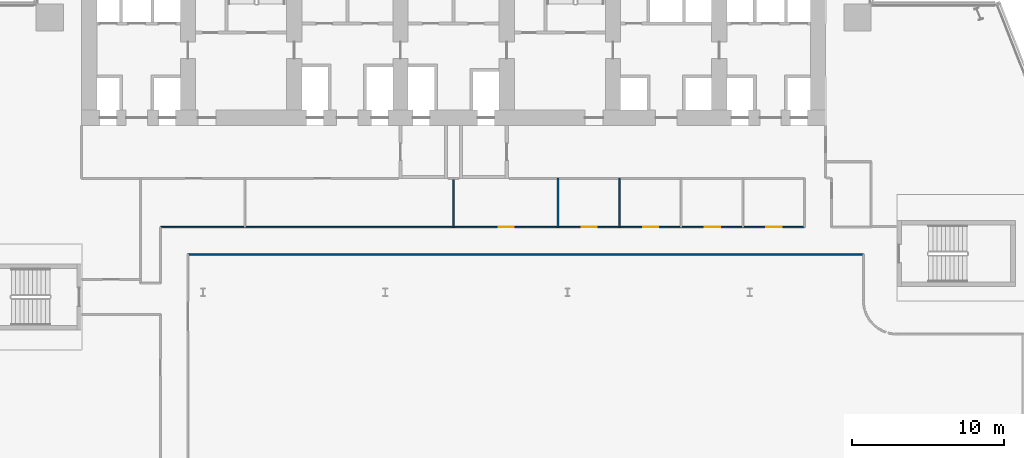
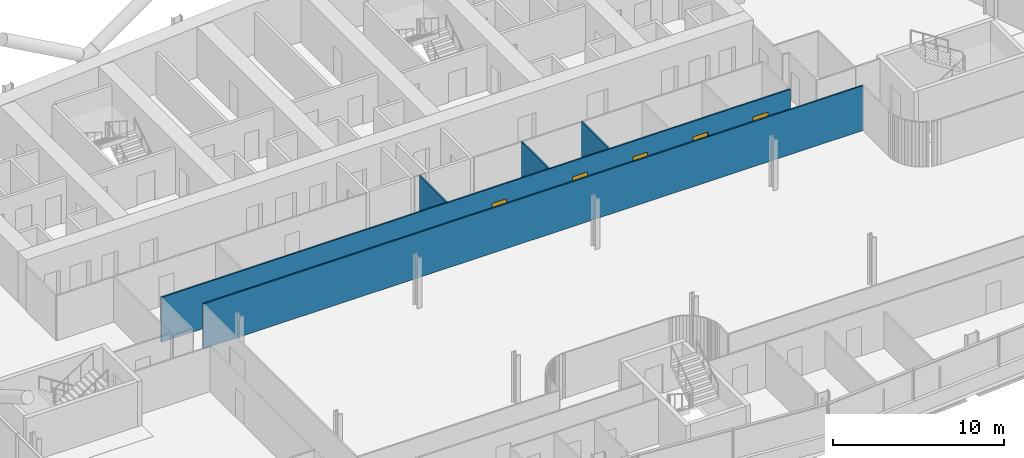
# One storey, part 18 of 31: 5 doors, 5 walls, 5 openings.
"""IFC4 building model written with IfcOpenShell, lengths in metres."""

import ifcopenshell
import ifcopenshell.guid

model = None  # the IFC model being written
_history = None  # IfcOwnerHistory: only IFC2X3 demands one
_inside = {}  # id of a spatial element -> (the spatial element, [elements in it])
_under = {}  # id of a project, library or spatial element -> (it, [spatial elements below it])
_declared = {}  # id of a project -> (the project, [libraries it declares])
_typed = {}  # id of a type object -> (the type object, [elements of that type])
_made_of = {}  # id of a material, layer set ... -> (it, [elements and type objects made of it])


def new_model(schema):
    """Start an empty IFC model of exactly this schema.

    Asked for "IFC4X3", IfcOpenShell would pick the latest addendum, in which some entities
    have other attributes; the version numbers below select the first issue.
    IFC2X3 requires an IfcOwnerHistory on every rooted entity: one is made here for all.
    """
    global model, _history
    if schema == "IFC4X3":
        model = ifcopenshell.file(schema_version=(4, 3, 0, 0))
    else:
        model = ifcopenshell.file(schema=schema)
    _inside.clear()
    _under.clear()
    _declared.clear()
    _typed.clear()
    _made_of.clear()
    _history = None
    if model.schema == "IFC2X3":
        org = make("IfcOrganization", Name="unknown")
        user = make(
            "IfcPersonAndOrganization",
            ThePerson=make("IfcPerson", FamilyName="unknown"),
            TheOrganization=org,
        )
        app = make(
            "IfcApplication",
            ApplicationDeveloper=org,
            Version="unknown",
            ApplicationFullName="unknown",
            ApplicationIdentifier="unknown",
        )
        _history = make(
            "IfcOwnerHistory",
            OwningUser=user,
            OwningApplication=app,
            ChangeAction="ADDED",
            CreationDate=0,
        )
    return model


def make(cls, **values):
    """One entity of the class cls with the attributes given. An attribute that is None is left unset."""
    return model.create_entity(
        cls, **{name: value for name, value in values.items() if value is not None}
    )


def rooted(cls, **values):
    """An entity with a GlobalId (a new one), such as an element, a storey or a relation."""
    return make(cls, GlobalId=ifcopenshell.guid.new(), OwnerHistory=_history, **values)


def si_unit(unit_type, name, prefix=None):
    """IfcSIUnit, for example si_unit("LENGTHUNIT", "METRE", prefix="MILLI")."""
    return make("IfcSIUnit", UnitType=unit_type, Prefix=prefix, Name=name)


def assignment(units):
    """IfcUnitAssignment: the units of a project."""
    return None if units is None else make("IfcUnitAssignment", Units=units)


def point(xyz):
    """IfcCartesianPoint."""
    return None if xyz is None else make("IfcCartesianPoint", Coordinates=xyz)


def direction(xyz):
    """IfcDirection."""
    return None if xyz is None else make("IfcDirection", DirectionRatios=xyz)


def frame(location, z_axis=None, x_axis=None):
    """IfcAxis2Placement3D, a coordinate frame: its origin and axes. An axis left out is left unset."""
    return make(
        "IfcAxis2Placement3D",
        Location=point(location),
        Axis=direction(z_axis),
        RefDirection=direction(x_axis),
    )


def frame_2d(location, x_axis=None):
    """IfcAxis2Placement2D, a coordinate frame in the plane: its origin and x axis."""
    return make(
        "IfcAxis2Placement2D", Location=point(location), RefDirection=direction(x_axis)
    )


def origin():
    """The frame at (0, 0, 0) with its axes left unset."""
    return frame((0.0, 0.0, 0.0))


def place(relative_to, where):
    """IfcLocalPlacement: puts the frame where relative to a parent placement (None: the world)."""
    return make(
        "IfcLocalPlacement", PlacementRelTo=relative_to, RelativePlacement=where
    )


def context(
    kind, dimensions, precision=None, world=None, true_north=None, identifier=None
):
    """IfcGeometricRepresentationContext, for example the 3D "Model" context."""
    return make(
        "IfcGeometricRepresentationContext",
        ContextIdentifier=identifier,
        ContextType=kind,
        CoordinateSpaceDimension=dimensions,
        Precision=precision,
        WorldCoordinateSystem=world,
        TrueNorth=true_north,
    )


def subcontext(parent, identifier, kind, view, scale=None):
    """IfcGeometricRepresentationSubContext, for example "Body" below "Model"."""
    return make(
        "IfcGeometricRepresentationSubContext",
        ContextIdentifier=identifier,
        ContextType=kind,
        ParentContext=parent,
        TargetScale=scale,
        TargetView=view,
    )


def project(units=None, contexts=None):
    """IfcProject with its units and contexts."""
    return rooted(
        "IfcProject",
        Name="project",
        RepresentationContexts=contexts,
        UnitsInContext=assignment(units),
    )


def spatial(cls, under=None, at=None, **own):
    """A site, building, storey or space (cls), placed at a placement, below another one or the project."""
    s = rooted(cls, ObjectPlacement=at, **own)
    if under is not None:
        _under.setdefault(under.id(), (under, []))[1].append(s)
    return s


def profile(cls, at=None, kind="AREA", **sizes):
    """A parametric profile (cls). Its sizes go by their IFC names, for example OverallWidth=200.0."""
    return make(cls, ProfileType=kind, Position=at, **sizes)


def rectangle(**sizes):
    """IfcRectangleProfileDef."""
    return profile("IfcRectangleProfileDef", **sizes)


def extrude(swept, where, along, depth):
    """IfcExtrudedAreaSolid: the profile swept, set in the frame where, extruded along a direction by depth."""
    return make(
        "IfcExtrudedAreaSolid",
        SweptArea=swept,
        Position=where,
        ExtrudedDirection=direction(along),
        Depth=depth,
    )


def shape(context_of_items, identifier, shape_type, items):
    """IfcShapeRepresentation: the items that make up one representation, for example the "Body"."""
    return make(
        "IfcShapeRepresentation",
        ContextOfItems=context_of_items,
        RepresentationIdentifier=identifier,
        RepresentationType=shape_type,
        Items=items,
    )


def material(Name=None, Category=None):
    """IfcMaterial."""
    return make("IfcMaterial", Name=Name, Category=Category)


def layer(
    of_material, thickness, ventilated=None, Name=None, Category=None, Priority=None
):
    """IfcMaterialLayer: one layer of a wall or slab, of a material (None: an air gap)."""
    return make(
        "IfcMaterialLayer",
        Material=of_material,
        LayerThickness=thickness,
        IsVentilated=ventilated,
        Name=Name,
        Category=Category,
        Priority=Priority,
    )


def layer_set(layers, Name=None):
    """IfcMaterialLayerSet."""
    return make("IfcMaterialLayerSet", MaterialLayers=layers, LayerSetName=Name)


def made_of(thing, what):
    """Note that an element or type object is made of a material, layer set ...; save() writes the relation."""
    if what is not None:
        _made_of.setdefault(what.id(), (what, []))[1].append(thing)
    return thing


def type_object(cls, material=None, **own):
    """A type object (cls), such as IfcWallType, which elements share."""
    return made_of(rooted(cls, **own), material)


def element(
    cls,
    number,
    at=None,
    inside=None,
    cuts=None,
    type_object=None,
    material=None,
    context=None,
    identifier="Body",
    shape_type=None,
    held_by="IfcProductDefinitionShape",
    body=None,
    shapes=None,
    **own,
):
    """One element of the class cls, such as IfcWall. Its Tag is "e" and its number.

    at: its placement. inside: the storey or other place that contains it. cuts: it is an
    opening in that element (IfcRelVoidsElement). A single representation is given by context,
    identifier, shape_type and body (its items); several are given by shapes. held_by: the class
    of the entity that holds the representations. save() writes the other relations.
    """
    e = rooted(cls, Tag="e%d" % number, ObjectPlacement=at, **own)
    if body is not None:
        shapes = [shape(context, identifier, shape_type, body)]
    if shapes is not None:
        e.Representation = make(held_by, Representations=shapes)
    if inside is not None:
        _inside.setdefault(inside.id(), (inside, []))[1].append(e)
    if cuts is not None:
        rooted(
            "IfcRelVoidsElement", RelatingBuildingElement=cuts, RelatedOpeningElement=e
        )
    if type_object is not None:
        _typed.setdefault(type_object.id(), (type_object, []))[1].append(e)
    return made_of(e, material)


def fill(opening, filler):
    """IfcRelFillsElement: the door or window that sits in an opening."""
    return rooted(
        "IfcRelFillsElement",
        RelatingOpeningElement=opening,
        RelatedBuildingElement=filler,
    )


def aggregate(whole, parts):
    """IfcRelAggregates: a whole, such as a stair, and the parts it consists of."""
    return rooted("IfcRelAggregates", RelatingObject=whole, RelatedObjects=parts)


def save(model, path):
    """Write the relations noted so far, then the file.

    IfcRelAggregates (storeys below a building ...), IfcRelContainedInSpatialStructure (elements
    in a storey), IfcRelDefinesByType, IfcRelAssociatesMaterial and IfcRelDeclares: one each for
    every whole, place, type object, material and project.
    """
    for whole, parts in _under.values():
        aggregate(whole, parts)
    for where, things in _inside.values():
        rooted(
            "IfcRelContainedInSpatialStructure",
            RelatedElements=things,
            RelatingStructure=where,
        )
    for kind, things in _typed.values():
        rooted("IfcRelDefinesByType", RelatedObjects=things, RelatingType=kind)
    for what, things in _made_of.values():
        rooted("IfcRelAssociatesMaterial", RelatedObjects=things, RelatingMaterial=what)
    for by, libraries in _declared.values():
        rooted("IfcRelDeclares", RelatingContext=by, RelatedDefinitions=libraries)
    model.write(path)


model = new_model("IFC4")

# Units and contexts
model_context = context("Model", 3, precision=1e-05, world=origin(), true_north=direction((0.0, 1.0)))
body_context = subcontext(model_context, "Body", "Model", "MODEL_VIEW")
ifc_project = project(units=[si_unit("LENGTHUNIT", "METRE"), si_unit("AREAUNIT", "SQUARE_METRE"), si_unit("VOLUMEUNIT", "CUBIC_METRE"), si_unit("PLANEANGLEUNIT", "RADIAN"), si_unit("MASSUNIT", "GRAM", prefix="KILO")], contexts=[model_context])

# Site, building, storey
site_placement = place(None, origin())
site = spatial("IfcSite", under=ifc_project, at=site_placement, CompositionType="ELEMENT")
building_placement = place(site_placement, origin())
building = spatial("IfcBuilding", under=site, at=building_placement, Name="Wharfspan Tower", CompositionType="ELEMENT")
storey_placement = place(building_placement, frame((0.0, 0.0, 103.899902)))
storey = spatial("IfcBuildingStorey", under=building, at=storey_placement, Name="L23", CompositionType="ELEMENT", Elevation=103.899902)

# Wall, openings, doors
ifc_material_1 = material(Name="Gypsum board on steel studs", Category="steel")
ifc_layer = layer(ifc_material_1, 0.100098)
ifc_layer_set = layer_set([ifc_layer], Name="Gypsum board on steel studs")
wall_type = type_object("IfcWallType", Name="Compartment wall 100 EI 60", PredefinedType="PARTITIONING", material=ifc_layer_set)
wall_1_placement = place(storey_placement, frame((21.199951, 27.300049, 0.0), z_axis=(0.0, 0.0, 1.0), x_axis=(1.0, 0.0, 0.0)))
wall_1 = element("IfcWall", 1, at=wall_1_placement, inside=storey, type_object=wall_type, Name="Partition L23.w013", PredefinedType="PARTITIONING", context=body_context, shape_type="SweptSolid", body=[
    extrude(rectangle(XDim=42.400146, YDim=0.100098, at=frame_2d((21.200195, 0.0))), origin(), (0.0, 0.0, 1.0), 3.200195),
])
opening_1_placement = place(wall_1_placement, frame((22.274902, 0.0, 0.0)))
opening_1 = element("IfcOpeningElement", 2, at=opening_1_placement, cuts=wall_1, Name="Opening B2-14", PredefinedType="OPENING", context=body_context, shape_type="SweptSolid", body=[
    extrude(rectangle(XDim=1.0, YDim=2.100098, at=frame_2d((0.5, 1.050049))), frame((0.0, 0.060059, 0.0), z_axis=(0.0, -1.0, 0.0), x_axis=(1.0, 0.0, 0.0)), (0.0, 0.0, 1.0), 0.120117),
])
opening_2_placement = place(wall_1_placement, frame((27.72998, 0.0, 0.0)))
opening_2 = element("IfcOpeningElement", 3, at=opening_2_placement, cuts=wall_1, Name="Opening B2-15", PredefinedType="OPENING", context=body_context, shape_type="SweptSolid", body=[
    extrude(rectangle(XDim=1.0, YDim=2.100098, at=frame_2d((0.5, 1.050049))), frame((0.0, 0.060059, 0.0), z_axis=(0.0, -1.0, 0.0), x_axis=(1.0, 0.0, 0.0)), (0.0, 0.0, 1.0), 0.120117),
])
opening_3_placement = place(wall_1_placement, frame((31.784912, 0.0, 0.0)))
opening_3 = element("IfcOpeningElement", 4, at=opening_3_placement, cuts=wall_1, Name="Opening B2-16", PredefinedType="OPENING", context=body_context, shape_type="SweptSolid", body=[
    extrude(rectangle(XDim=1.0, YDim=2.100098, at=frame_2d((0.5, 1.050049))), frame((0.0, 0.060059, 0.0), z_axis=(0.0, -1.0, 0.0), x_axis=(1.0, 0.0, 0.0)), (0.0, 0.0, 1.0), 0.120117),
])
opening_4_placement = place(wall_1_placement, frame((35.844971, 0.0, 0.0)))
opening_4 = element("IfcOpeningElement", 5, at=opening_4_placement, cuts=wall_1, Name="Opening B2-17", PredefinedType="OPENING", context=body_context, shape_type="SweptSolid", body=[
    extrude(rectangle(XDim=1.0, YDim=2.100098, at=frame_2d((0.5, 1.050049))), frame((0.0, 0.060059, 0.0), z_axis=(0.0, -1.0, 0.0), x_axis=(1.0, 0.0, 0.0)), (0.0, 0.0, 1.0), 0.120117),
])
opening_5_placement = place(wall_1_placement, frame((39.899902, 0.0, 0.0)))
opening_5 = element("IfcOpeningElement", 6, at=opening_5_placement, cuts=wall_1, Name="Opening B2-18", PredefinedType="OPENING", context=body_context, shape_type="SweptSolid", body=[
    extrude(rectangle(XDim=1.0, YDim=2.100098, at=frame_2d((0.5, 1.050049))), frame((0.0, 0.060059, 0.0), z_axis=(0.0, -1.0, 0.0), x_axis=(1.0, 0.0, 0.0)), (0.0, 0.0, 1.0), 0.120117),
])
ifc_material_2 = material(Name="Fire-rated timber door leaf in steel frame", Category="steel")
door_type = type_object("IfcDoorType", Name="Door 1000 FD30S Right", OperationType="SINGLE_SWING_RIGHT", PredefinedType="DOOR", material=ifc_material_2)
door_1_placement = place(opening_1_placement, origin())
door_1 = element("IfcDoor", 7, at=door_1_placement, inside=storey, type_object=door_type, Name="Door B2-14", OperationType="SINGLE_SWING_RIGHT", OverallHeight=2.100098, OverallWidth=1.0, PredefinedType="DOOR", context=body_context, shape_type="SweptSolid", body=[
    extrude(rectangle(XDim=1.0, YDim=2.100098, at=frame_2d((0.5, 1.050049))), frame((0.0, 0.024902, 0.0), z_axis=(0.0, -1.0, 0.0), x_axis=(1.0, 0.0, 0.0)), (0.0, 0.0, 1.0), 0.050049),
])
fill(opening_1, door_1)
door_2_placement = place(opening_2_placement, origin())
door_2 = element("IfcDoor", 8, at=door_2_placement, inside=storey, type_object=door_type, Name="Door B2-15", OperationType="SINGLE_SWING_RIGHT", OverallHeight=2.100098, OverallWidth=1.0, PredefinedType="DOOR", context=body_context, shape_type="SweptSolid", body=[
    extrude(rectangle(XDim=1.0, YDim=2.100098, at=frame_2d((0.5, 1.050049))), frame((0.0, 0.024902, 0.0), z_axis=(0.0, -1.0, 0.0), x_axis=(1.0, 0.0, 0.0)), (0.0, 0.0, 1.0), 0.050049),
])
fill(opening_2, door_2)
door_3_placement = place(opening_3_placement, origin())
door_3 = element("IfcDoor", 9, at=door_3_placement, inside=storey, type_object=door_type, Name="Door B2-16", OperationType="SINGLE_SWING_RIGHT", OverallHeight=2.100098, OverallWidth=1.0, PredefinedType="DOOR", context=body_context, shape_type="SweptSolid", body=[
    extrude(rectangle(XDim=1.0, YDim=2.100098, at=frame_2d((0.5, 1.050049))), frame((0.0, 0.024902, 0.0), z_axis=(0.0, -1.0, 0.0), x_axis=(1.0, 0.0, 0.0)), (0.0, 0.0, 1.0), 0.050049),
])
fill(opening_3, door_3)
door_4_placement = place(opening_4_placement, origin())
door_4 = element("IfcDoor", 10, at=door_4_placement, inside=storey, type_object=door_type, Name="Door B2-17", OperationType="SINGLE_SWING_RIGHT", OverallHeight=2.100098, OverallWidth=1.0, PredefinedType="DOOR", context=body_context, shape_type="SweptSolid", body=[
    extrude(rectangle(XDim=1.0, YDim=2.100098, at=frame_2d((0.5, 1.050049))), frame((0.0, 0.024902, 0.0), z_axis=(0.0, -1.0, 0.0), x_axis=(1.0, 0.0, 0.0)), (0.0, 0.0, 1.0), 0.050049),
])
fill(opening_4, door_4)
door_5_placement = place(opening_5_placement, origin())
door_5 = element("IfcDoor", 11, at=door_5_placement, inside=storey, type_object=door_type, Name="Door B2-18", OperationType="SINGLE_SWING_RIGHT", OverallHeight=2.100098, OverallWidth=1.0, PredefinedType="DOOR", context=body_context, shape_type="SweptSolid", body=[
    extrude(rectangle(XDim=1.0, YDim=2.100098, at=frame_2d((0.5, 1.050049))), frame((0.0, 0.024902, 0.0), z_axis=(0.0, -1.0, 0.0), x_axis=(1.0, 0.0, 0.0)), (0.0, 0.0, 1.0), 0.050049),
])
fill(opening_5, door_5)

# Walls
wall_2_placement = place(storey_placement, frame((23.0, 25.5, 0.0), z_axis=(0.0, 0.0, 1.0), x_axis=(1.0, 0.0, 0.0)))
element("IfcWall", 12, at=wall_2_placement, inside=storey, type_object=wall_type, Name="Partition L23.w016", PredefinedType="PARTITIONING", context=body_context, shape_type="SweptSolid", body=[
    extrude(rectangle(XDim=44.48999, YDim=0.100098, at=frame_2d((22.245117, 0.0))), origin(), (0.0, 0.0, 1.0), 3.200195),
])
for number, where, z_axis, x_axis, name in (
    (13, (40.5, 27.300049, 0.0), (0.0, 0.0, 1.0), (0.0, 1.0, 0.0), "Partition L23.w047"),
    (14, (47.375, 27.300049, 0.0), (0.0, 0.0, 1.0), (0.0, 1.0, 0.0), "Partition L23.w058"),
    (15, (51.429932, 27.300049, 0.0), (0.0, 0.0, 1.0), (0.0, 1.0, 0.0), "Partition L23.w070"),
):
    element("IfcWall", number, at=place(storey_placement, frame(where, z_axis=z_axis, x_axis=x_axis)), inside=storey, type_object=wall_type, Name=name, PredefinedType="PARTITIONING", context=body_context, shape_type="SweptSolid", body=[
        extrude(rectangle(XDim=3.199951, YDim=0.100098, at=frame_2d((1.600098, 0.0))), origin(), (0.0, 0.0, 1.0), 3.200195),
    ])

save(model, "model.ifc")
